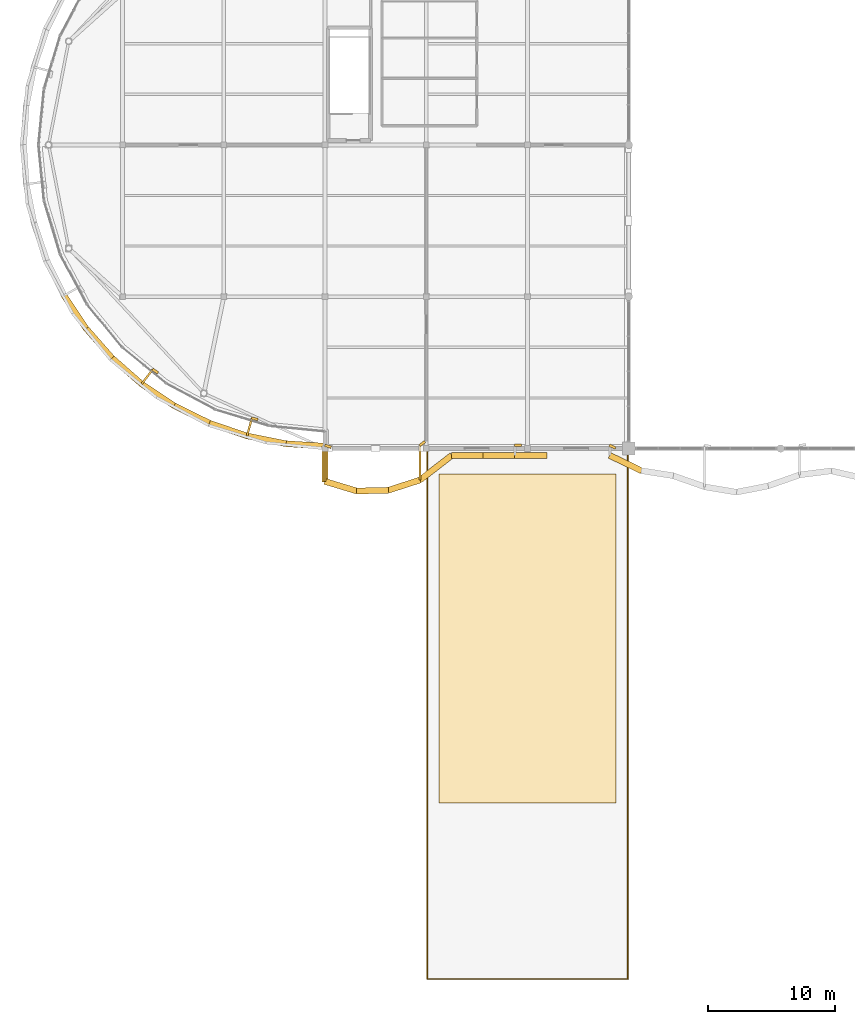
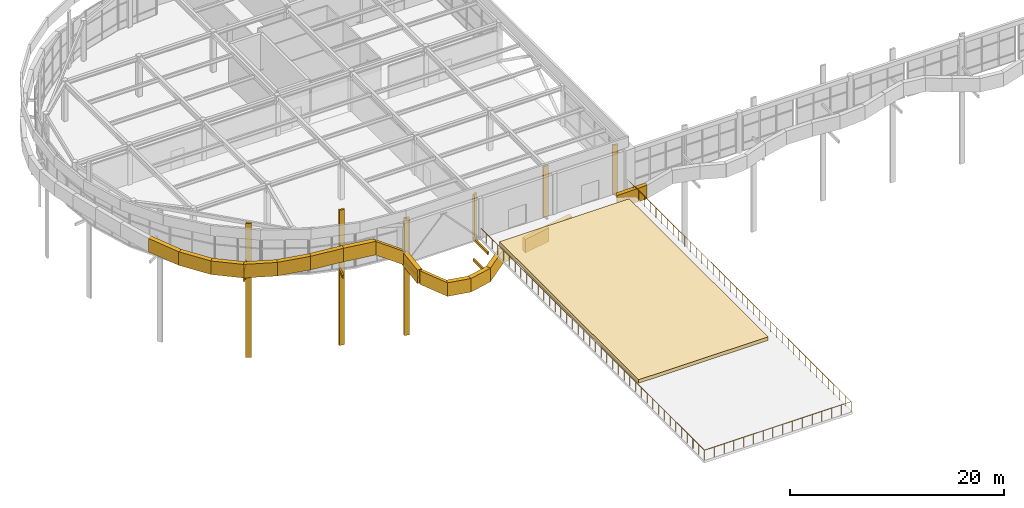
# One storey, part 50 of 63: 31 coverings, 1 railing.
"""IFC4 building model written with IfcOpenShell, lengths in metres."""

from ifc_helpers import new_model, si_unit, direction, frame, frame_2d, origin, origin_2d, place, context, subcontext, project, spatial, polyline, rectangle, circle, outline, extrude, material, layer, layer_set, type_object, element, save


model = new_model("IFC4")

# Units and contexts
model_context = context("Model", 3, precision=1e-05, world=origin(), true_north=direction((0.0, 1.0)))
body_context = subcontext(model_context, "Body", "Model", "MODEL_VIEW")
ifc_project = project(units=[si_unit("LENGTHUNIT", "METRE"), si_unit("AREAUNIT", "SQUARE_METRE"), si_unit("VOLUMEUNIT", "CUBIC_METRE"), si_unit("PLANEANGLEUNIT", "RADIAN"), si_unit("MASSUNIT", "GRAM", prefix="KILO")], contexts=[model_context])

# Site, building, storey
site_placement = place(None, origin())
site = spatial("IfcSite", under=ifc_project, at=site_placement, CompositionType="ELEMENT")
building_placement = place(site_placement, origin())
building = spatial("IfcBuilding", under=site, at=building_placement, Name="Keelwater Ferry Terminal", CompositionType="ELEMENT")
storey_placement = place(building_placement, frame((0.0, 0.0, 10.199951171875)))
storey = spatial("IfcBuildingStorey", under=building, at=storey_placement, Name="L02", CompositionType="ELEMENT", Elevation=10.199951171875)

# Railing
ifc_material_1 = material(Name="Marine stainless steel and laminated glass balustrade", Category="steel")
railing_type = type_object("IfcRailingType", Name="BL-115 Waterfront Promenade Balustrade", PredefinedType="BALUSTRADE", material=ifc_material_1)
railing_placement = place(storey_placement, frame((32.080078125, 41.949951171875, 0.0)))
element("IfcRailing", 1, at=railing_placement, inside=storey, type_object=railing_type, Name="West Boarding Promenade Guard 2", PredefinedType="BALUSTRADE", context=body_context, shape_type="SweptSolid", body=[
    extrude(circle(Radius=0.02685546875, at=origin_2d()), frame((0.0, 0.0, 1.123046875), z_axis=(0.0, -1.0, 0.0), x_axis=(1.0, 0.0, 0.0)), (0.0, 0.0, 1.0), 41.869873046875),
    extrude(circle(Radius=0.02685546875, at=origin_2d()), frame((0.0, -41.869873046875, 1.123046875), z_axis=(1.0, 0.0, 0.0), x_axis=(0.0, 1.0, 0.0)), (0.0, 0.0, 1.0), 15.83984375),
    extrude(circle(Radius=0.02685546875, at=origin_2d()), frame((15.83984375, -41.869873046875, 1.123046875), z_axis=(0.0, 1.0, 0.0), x_axis=(-1.0, 0.0, 0.0)), (0.0, 0.0, 1.0), 41.869873046875),
    extrude(circle(Radius=0.02392578125, at=origin_2d()), origin(), (0.0, 0.0, 1.0), 1.095947265625),
    extrude(circle(Radius=0.02392578125, at=origin_2d()), frame((0.0, -1.073486328125, 0.0)), (0.0, 0.0, 1.0), 1.095947265625),
    extrude(circle(Radius=0.02392578125, at=origin_2d()), frame((0.0, -2.147216796875, 0.0)), (0.0, 0.0, 1.0), 1.095947265625),
    extrude(circle(Radius=0.02392578125, at=origin_2d()), frame((0.0, -3.220703125, 0.0)), (0.0, 0.0, 1.0), 1.095947265625),
    extrude(circle(Radius=0.02392578125, at=origin_2d()), frame((0.0, -4.29443359375, 0.0)), (0.0, 0.0, 1.0), 1.095947265625),
    extrude(circle(Radius=0.02392578125, at=origin_2d()), frame((0.0, -5.367919921875, 0.0)), (0.0, 0.0, 1.0), 1.095947265625),
    extrude(circle(Radius=0.02392578125, at=origin_2d()), frame((0.0, -6.44140625, 0.0)), (0.0, 0.0, 1.0), 1.095947265625),
    extrude(circle(Radius=0.02392578125, at=origin_2d()), frame((0.0, -7.51513671875, 0.0)), (0.0, 0.0, 1.0), 1.095947265625),
    extrude(circle(Radius=0.02392578125, at=origin_2d()), frame((0.0, -8.588623046875, 0.0)), (0.0, 0.0, 1.0), 1.095947265625),
    extrude(circle(Radius=0.02392578125, at=origin_2d()), frame((0.0, -9.662353515625, 0.0)), (0.0, 0.0, 1.0), 1.095947265625),
    extrude(circle(Radius=0.02392578125, at=origin_2d()), frame((0.0, -10.73583984375, 0.0)), (0.0, 0.0, 1.0), 1.095947265625),
    extrude(circle(Radius=0.02392578125, at=origin_2d()), frame((0.0, -11.8095703125, 0.0)), (0.0, 0.0, 1.0), 1.095947265625),
    extrude(circle(Radius=0.02392578125, at=origin_2d()), frame((0.0, -12.883056640625, 0.0)), (0.0, 0.0, 1.0), 1.095947265625),
    extrude(circle(Radius=0.02392578125, at=origin_2d()), frame((0.0, -13.95654296875, 0.0)), (0.0, 0.0, 1.0), 1.095947265625),
    extrude(circle(Radius=0.02392578125, at=origin_2d()), frame((0.0, -15.0302734375, 0.0)), (0.0, 0.0, 1.0), 1.095947265625),
    extrude(circle(Radius=0.02392578125, at=origin_2d()), frame((0.0, -16.103759765625, 0.0)), (0.0, 0.0, 1.0), 1.095947265625),
    extrude(circle(Radius=0.02392578125, at=origin_2d()), frame((0.0, -17.177490234375, 0.0)), (0.0, 0.0, 1.0), 1.095947265625),
    extrude(circle(Radius=0.02392578125, at=origin_2d()), frame((0.0, -18.2509765625, 0.0)), (0.0, 0.0, 1.0), 1.095947265625),
    extrude(circle(Radius=0.02392578125, at=origin_2d()), frame((0.0, -19.324462890625, 0.0)), (0.0, 0.0, 1.0), 1.095947265625),
    extrude(circle(Radius=0.02392578125, at=origin_2d()), frame((0.0, -20.398193359375, 0.0)), (0.0, 0.0, 1.0), 1.095947265625),
    extrude(circle(Radius=0.02392578125, at=origin_2d()), frame((0.0, -21.4716796875, 0.0)), (0.0, 0.0, 1.0), 1.095947265625),
    extrude(circle(Radius=0.02392578125, at=origin_2d()), frame((0.0, -22.54541015625, 0.0)), (0.0, 0.0, 1.0), 1.095947265625),
    extrude(circle(Radius=0.02392578125, at=origin_2d()), frame((0.0, -23.618896484375, 0.0)), (0.0, 0.0, 1.0), 1.095947265625),
    extrude(circle(Radius=0.02392578125, at=origin_2d()), frame((0.0, -24.6923828125, 0.0)), (0.0, 0.0, 1.0), 1.095947265625),
    extrude(circle(Radius=0.02392578125, at=origin_2d()), frame((0.0, -25.76611328125, 0.0)), (0.0, 0.0, 1.0), 1.095947265625),
    extrude(circle(Radius=0.02392578125, at=origin_2d()), frame((0.0, -26.839599609375, 0.0)), (0.0, 0.0, 1.0), 1.095947265625),
    extrude(circle(Radius=0.02392578125, at=origin_2d()), frame((0.0, -27.913330078125, 0.0)), (0.0, 0.0, 1.0), 1.095947265625),
    extrude(circle(Radius=0.02392578125, at=origin_2d()), frame((0.0, -28.98681640625, 0.0)), (0.0, 0.0, 1.0), 1.095947265625),
    extrude(circle(Radius=0.02392578125, at=origin_2d()), frame((0.0, -30.060302734375, 0.0)), (0.0, 0.0, 1.0), 1.095947265625),
    extrude(circle(Radius=0.02392578125, at=origin_2d()), frame((0.0, -31.134033203125, 0.0)), (0.0, 0.0, 1.0), 1.095947265625),
    extrude(circle(Radius=0.02392578125, at=origin_2d()), frame((0.0, -32.20751953125, 0.0)), (0.0, 0.0, 1.0), 1.095947265625),
    extrude(circle(Radius=0.02392578125, at=origin_2d()), frame((0.0, -33.28125, 0.0)), (0.0, 0.0, 1.0), 1.095947265625),
    extrude(circle(Radius=0.02392578125, at=origin_2d()), frame((0.0, -34.354736328125, 0.0)), (0.0, 0.0, 1.0), 1.095947265625),
    extrude(circle(Radius=0.02392578125, at=origin_2d()), frame((0.0, -35.428466796875, 0.0)), (0.0, 0.0, 1.0), 1.095947265625),
    extrude(circle(Radius=0.02392578125, at=origin_2d()), frame((0.0, -36.501953125, 0.0)), (0.0, 0.0, 1.0), 1.095947265625),
    extrude(circle(Radius=0.02392578125, at=origin_2d()), frame((0.0, -37.575439453125, 0.0)), (0.0, 0.0, 1.0), 1.095947265625),
    extrude(circle(Radius=0.02392578125, at=origin_2d()), frame((0.0, -38.649169921875, 0.0)), (0.0, 0.0, 1.0), 1.095947265625),
    extrude(circle(Radius=0.02392578125, at=origin_2d()), frame((0.0, -39.72265625, 0.0)), (0.0, 0.0, 1.0), 1.095947265625),
    extrude(circle(Radius=0.02392578125, at=origin_2d()), frame((0.0, -40.79638671875, 0.0)), (0.0, 0.0, 1.0), 1.095947265625),
    extrude(circle(Radius=0.02392578125, at=origin_2d()), frame((0.0, -41.869873046875, 0.0)), (0.0, 0.0, 1.0), 1.095947265625),
    extrude(circle(Radius=0.02392578125, at=origin_2d()), frame((1.055908203125, -41.869873046875, 0.0)), (0.0, 0.0, 1.0), 1.095947265625),
    extrude(circle(Radius=0.02392578125, at=origin_2d()), frame((2.112060546875, -41.869873046875, 0.0)), (0.0, 0.0, 1.0), 1.095947265625),
    extrude(circle(Radius=0.02392578125, at=origin_2d()), frame((3.16796875, -41.869873046875, 0.0)), (0.0, 0.0, 1.0), 1.095947265625),
    extrude(circle(Radius=0.02392578125, at=origin_2d()), frame((4.223876953125, -41.869873046875, 0.0)), (0.0, 0.0, 1.0), 1.095947265625),
    extrude(circle(Radius=0.02392578125, at=origin_2d()), frame((5.280029296875, -41.869873046875, 0.0)), (0.0, 0.0, 1.0), 1.095947265625),
    extrude(circle(Radius=0.02392578125, at=origin_2d()), frame((6.3359375, -41.869873046875, 0.0)), (0.0, 0.0, 1.0), 1.095947265625),
    extrude(circle(Radius=0.02392578125, at=origin_2d()), frame((7.391845703125, -41.869873046875, 0.0)), (0.0, 0.0, 1.0), 1.095947265625),
    extrude(circle(Radius=0.02392578125, at=origin_2d()), frame((8.447998046875, -41.869873046875, 0.0)), (0.0, 0.0, 1.0), 1.095947265625),
    extrude(circle(Radius=0.02392578125, at=origin_2d()), frame((9.50390625, -41.869873046875, 0.0)), (0.0, 0.0, 1.0), 1.095947265625),
    extrude(circle(Radius=0.02392578125, at=origin_2d()), frame((10.559814453125, -41.869873046875, 0.0)), (0.0, 0.0, 1.0), 1.095947265625),
    extrude(circle(Radius=0.02392578125, at=origin_2d()), frame((11.615966796875, -41.869873046875, 0.0)), (0.0, 0.0, 1.0), 1.095947265625),
    extrude(circle(Radius=0.02392578125, at=origin_2d()), frame((12.671875, -41.869873046875, 0.0)), (0.0, 0.0, 1.0), 1.095947265625),
    extrude(circle(Radius=0.02392578125, at=origin_2d()), frame((13.727783203125, -41.869873046875, 0.0)), (0.0, 0.0, 1.0), 1.095947265625),
    extrude(circle(Radius=0.02392578125, at=origin_2d()), frame((14.783935546875, -41.869873046875, 0.0)), (0.0, 0.0, 1.0), 1.095947265625),
    extrude(circle(Radius=0.02392578125, at=origin_2d()), frame((15.83984375, -41.869873046875, 0.0)), (0.0, 0.0, 1.0), 1.095947265625),
    extrude(circle(Radius=0.02392578125, at=origin_2d()), frame((15.83984375, -40.79638671875, 0.0)), (0.0, 0.0, 1.0), 1.095947265625),
    extrude(circle(Radius=0.02392578125, at=origin_2d()), frame((15.83984375, -39.72265625, 0.0)), (0.0, 0.0, 1.0), 1.095947265625),
    extrude(circle(Radius=0.02392578125, at=origin_2d()), frame((15.83984375, -38.649169921875, 0.0)), (0.0, 0.0, 1.0), 1.095947265625),
    extrude(circle(Radius=0.02392578125, at=origin_2d()), frame((15.83984375, -37.575439453125, 0.0)), (0.0, 0.0, 1.0), 1.095947265625),
    extrude(circle(Radius=0.02392578125, at=origin_2d()), frame((15.83984375, -36.501953125, 0.0)), (0.0, 0.0, 1.0), 1.095947265625),
    extrude(circle(Radius=0.02392578125, at=origin_2d()), frame((15.83984375, -35.428466796875, 0.0)), (0.0, 0.0, 1.0), 1.095947265625),
    extrude(circle(Radius=0.02392578125, at=origin_2d()), frame((15.83984375, -34.354736328125, 0.0)), (0.0, 0.0, 1.0), 1.095947265625),
    extrude(circle(Radius=0.02392578125, at=origin_2d()), frame((15.83984375, -33.28125, 0.0)), (0.0, 0.0, 1.0), 1.095947265625),
    extrude(circle(Radius=0.02392578125, at=origin_2d()), frame((15.83984375, -32.20751953125, 0.0)), (0.0, 0.0, 1.0), 1.095947265625),
    extrude(circle(Radius=0.02392578125, at=origin_2d()), frame((15.83984375, -31.134033203125, 0.0)), (0.0, 0.0, 1.0), 1.095947265625),
    extrude(circle(Radius=0.02392578125, at=origin_2d()), frame((15.83984375, -30.060302734375, 0.0)), (0.0, 0.0, 1.0), 1.095947265625),
    extrude(circle(Radius=0.02392578125, at=origin_2d()), frame((15.83984375, -28.98681640625, 0.0)), (0.0, 0.0, 1.0), 1.095947265625),
    extrude(circle(Radius=0.02392578125, at=origin_2d()), frame((15.83984375, -27.913330078125, 0.0)), (0.0, 0.0, 1.0), 1.095947265625),
    extrude(circle(Radius=0.02392578125, at=origin_2d()), frame((15.83984375, -26.839599609375, 0.0)), (0.0, 0.0, 1.0), 1.095947265625),
    extrude(circle(Radius=0.02392578125, at=origin_2d()), frame((15.83984375, -25.76611328125, 0.0)), (0.0, 0.0, 1.0), 1.095947265625),
    extrude(circle(Radius=0.02392578125, at=origin_2d()), frame((15.83984375, -24.6923828125, 0.0)), (0.0, 0.0, 1.0), 1.095947265625),
    extrude(circle(Radius=0.02392578125, at=origin_2d()), frame((15.83984375, -23.618896484375, 0.0)), (0.0, 0.0, 1.0), 1.095947265625),
    extrude(circle(Radius=0.02392578125, at=origin_2d()), frame((15.83984375, -22.54541015625, 0.0)), (0.0, 0.0, 1.0), 1.095947265625),
    extrude(circle(Radius=0.02392578125, at=origin_2d()), frame((15.83984375, -21.4716796875, 0.0)), (0.0, 0.0, 1.0), 1.095947265625),
    extrude(circle(Radius=0.02392578125, at=origin_2d()), frame((15.83984375, -20.398193359375, 0.0)), (0.0, 0.0, 1.0), 1.095947265625),
    extrude(circle(Radius=0.02392578125, at=origin_2d()), frame((15.83984375, -19.324462890625, 0.0)), (0.0, 0.0, 1.0), 1.095947265625),
    extrude(circle(Radius=0.02392578125, at=origin_2d()), frame((15.83984375, -18.2509765625, 0.0)), (0.0, 0.0, 1.0), 1.095947265625),
    extrude(circle(Radius=0.02392578125, at=origin_2d()), frame((15.83984375, -17.177490234375, 0.0)), (0.0, 0.0, 1.0), 1.095947265625),
    extrude(circle(Radius=0.02392578125, at=origin_2d()), frame((15.83984375, -16.103759765625, 0.0)), (0.0, 0.0, 1.0), 1.095947265625),
    extrude(circle(Radius=0.02392578125, at=origin_2d()), frame((15.83984375, -15.0302734375, 0.0)), (0.0, 0.0, 1.0), 1.095947265625),
    extrude(circle(Radius=0.02392578125, at=origin_2d()), frame((15.83984375, -13.95654296875, 0.0)), (0.0, 0.0, 1.0), 1.095947265625),
    extrude(circle(Radius=0.02392578125, at=origin_2d()), frame((15.83984375, -12.883056640625, 0.0)), (0.0, 0.0, 1.0), 1.095947265625),
    extrude(circle(Radius=0.02392578125, at=origin_2d()), frame((15.83984375, -11.8095703125, 0.0)), (0.0, 0.0, 1.0), 1.095947265625),
    extrude(circle(Radius=0.02392578125, at=origin_2d()), frame((15.83984375, -10.73583984375, 0.0)), (0.0, 0.0, 1.0), 1.095947265625),
    extrude(circle(Radius=0.02392578125, at=origin_2d()), frame((15.83984375, -9.662353515625, 0.0)), (0.0, 0.0, 1.0), 1.095947265625),
    extrude(circle(Radius=0.02392578125, at=origin_2d()), frame((15.83984375, -8.588623046875, 0.0)), (0.0, 0.0, 1.0), 1.095947265625),
    extrude(circle(Radius=0.02392578125, at=origin_2d()), frame((15.83984375, -7.51513671875, 0.0)), (0.0, 0.0, 1.0), 1.095947265625),
    extrude(circle(Radius=0.02392578125, at=origin_2d()), frame((15.83984375, -6.44140625, 0.0)), (0.0, 0.0, 1.0), 1.095947265625),
    extrude(circle(Radius=0.02392578125, at=origin_2d()), frame((15.83984375, -5.367919921875, 0.0)), (0.0, 0.0, 1.0), 1.095947265625),
    extrude(circle(Radius=0.02392578125, at=origin_2d()), frame((15.83984375, -4.29443359375, 0.0)), (0.0, 0.0, 1.0), 1.095947265625),
    extrude(circle(Radius=0.02392578125, at=origin_2d()), frame((15.83984375, -3.220703125, 0.0)), (0.0, 0.0, 1.0), 1.095947265625),
    extrude(circle(Radius=0.02392578125, at=origin_2d()), frame((15.83984375, -2.147216796875, 0.0)), (0.0, 0.0, 1.0), 1.095947265625),
    extrude(circle(Radius=0.02392578125, at=origin_2d()), frame((15.83984375, -1.073486328125, 0.0)), (0.0, 0.0, 1.0), 1.095947265625),
    extrude(circle(Radius=0.02392578125, at=origin_2d()), frame((15.83984375, 0.0, 0.0)), (0.0, 0.0, 1.0), 1.095947265625),
])

# Coverings
ifc_material_2 = material(Name="Planted sedum green roof substrate", Category="earth")
ifc_layer_1 = layer(ifc_material_2, 0.39990234375)
ifc_layer_set_1 = layer_set([ifc_layer_1], Name="Planted sedum green roof substrate")
covering_type_1 = type_object("IfcCoveringType", Name="GR-BED Planted Green Roof Bed", PredefinedType="ROOFING", material=ifc_layer_set_1)
covering_1_placement = place(storey_placement, origin())
element("IfcCovering", 2, at=covering_1_placement, inside=storey, type_object=covering_type_1, Name="Planted Green Roof Bed 4", PredefinedType="ROOFING", context=body_context, shape_type="SweptSolid", body=[
    extrude(outline(polyline([(33.0, 14.0), (47.0, 14.0), (47.0, 40.0), (33.0, 40.0), (33.0, 14.0)])), origin(), (0.0, 0.0, 1.0), 0.400146484375),
])
ifc_material_3 = material(Name="Matte white architectural aluminium fascia ribbon", Category="aluminium")
ifc_layer_2 = layer(ifc_material_3, 0.1201171875)
ifc_layer_set_2 = layer_set([ifc_layer_2], Name="Matte white architectural aluminium fascia ribbon")
covering_type_2 = type_object("IfcCoveringType", Name="RB-WHT Matte White Fascia Ribbon", PredefinedType="CLADDING", material=ifc_layer_set_2)
covering_2_placement = place(storey_placement, frame((3.35693359375, 54.111083984375, 0.64501953125), z_axis=(0.0, 0.0, 1.0), x_axis=(0.55550058618, -0.831516144614, 0.0)))
element("IfcCovering", 3, at=covering_2_placement, inside=storey, type_object=covering_type_2, Name="Concourse Upper Wave Fascia Ribbon 260", PredefinedType="CLADDING", context=body_context, shape_type="SweptSolid", body=[
    extrude(outline(polyline([(0.0, 0.548095703125), (3.16650390625, 0.0), (3.16650390625, 1.550048828125), (0.0, 2.09814453125), (0.0, 0.548095703125)])), frame((0.0, 0.239990234375, 0.0), z_axis=(0.0, -1.0, 0.0), x_axis=(1.0, 0.0, 0.0)), (0.0, 0.0, 1.0), 0.47998046875),
])
covering_3_placement = place(storey_placement, frame((5.0859375, 51.51806640625, 0.31103515625), z_axis=(0.0, 0.0, 1.0), x_axis=(0.65931776004, -0.75186441018, 0.0)))
element("IfcCovering", 4, at=covering_3_placement, inside=storey, type_object=covering_type_2, Name="Concourse Upper Wave Fascia Ribbon 271", PredefinedType="CLADDING", context=body_context, shape_type="SweptSolid", body=[
    extrude(outline(polyline([(0.0, 0.333984375), (3.16552734375, 0.0), (3.16552734375, 1.550048828125), (0.0, 1.884033203125), (0.0, 0.333984375)])), frame((0.0, 0.239990234375, 0.0), z_axis=(0.0, -1.0, 0.0), x_axis=(1.0, 0.0, 0.0)), (0.0, 0.0, 1.0), 0.47998046875),
])
covering_4_placement = place(storey_placement, frame((7.137939453125, 49.173095703125, 0.31103515625), z_axis=(0.0, 0.0, 1.0), x_axis=(0.75186441018, -0.65931776004, 0.0)))
element("IfcCovering", 5, at=covering_4_placement, inside=storey, type_object=covering_type_2, Name="Concourse Upper Wave Fascia Ribbon 275", PredefinedType="CLADDING", context=body_context, shape_type="SweptSolid", body=[
    extrude(outline(polyline([(0.0, 0.0), (3.16552734375, 0.027099609375), (3.16552734375, 1.576904296875), (0.0, 1.550048828125), (0.0, 0.0)])), frame((0.0, 0.239990234375, 0.0), z_axis=(0.0, -1.0, 0.0), x_axis=(1.0, 0.0, 0.0)), (0.0, 0.0, 1.0), 0.47998046875),
])
covering_5_placement = place(storey_placement, frame((9.47802734375, 47.115966796875, 0.338134765625), z_axis=(0.0, 0.0, 1.0), x_axis=(0.831516144614, -0.55550058618, 0.0)))
element("IfcCovering", 6, at=covering_5_placement, inside=storey, type_object=covering_type_2, Name="Concourse Upper Wave Fascia Ribbon 279", PredefinedType="CLADDING", context=body_context, shape_type="SweptSolid", body=[
    extrude(outline(polyline([(0.0, 0.0), (3.16650390625, 0.3779296875), (3.16650390625, 1.927978515625), (0.0, 1.5498046875), (0.0, 0.0)])), frame((0.0, 0.239990234375, 0.0), z_axis=(0.0, -1.0, 0.0), x_axis=(1.0, 0.0, 0.0)), (0.0, 0.0, 1.0), 0.47998046875),
])
covering_6_placement = place(storey_placement, frame((9.4990234375, 47.10205078125, 0.97314453125), z_axis=(0.0, 0.0, 1.0), x_axis=(0.609067672467, 0.793118257484, 0.0)))
element("IfcCovering", 7, at=covering_6_placement, inside=storey, type_object=covering_type_2, Name="Ribbon Horizontal Tie Bracket 282", PredefinedType="CLADDING", context=body_context, shape_type="SweptSolid", body=[
    extrude(rectangle(XDim=1.449951171875, YDim=0.159912109375, at=frame_2d((0.72509765625, 0.0))), origin(), (0.0, 0.0, 1.0), 0.27978515625),
])
covering_7_placement = place(storey_placement, frame((9.4990234375, 47.10205078125, -0.25), z_axis=(0.0, 0.0, 1.0), x_axis=(0.609067672467, 0.793118257484, 0.0)))
element("IfcCovering", 8, at=covering_7_placement, inside=storey, type_object=covering_type_2, Name="Ribbon Slab Tie Bracket 284", PredefinedType="CLADDING", context=body_context, shape_type="SweptSolid", body=[
    extrude(rectangle(XDim=1.449951171875, YDim=0.159912109375, at=frame_2d((0.72509765625, 0.0))), origin(), (0.0, 0.0, 1.0), 0.300048828125),
])
covering_8_placement = place(storey_placement, frame((10.361083984375, 48.26611328125, -9.8359375), z_axis=(0.0, 0.0, 1.0), x_axis=(0.83183765014, -0.555019030132, 0.0)))
element("IfcCovering", 9, at=covering_8_placement, inside=storey, type_object=covering_type_2, Name="Ribbon Recessed Support Mullion 286", PredefinedType="CLADDING", context=body_context, shape_type="SweptSolid", body=[
    extrude(outline(polyline([(0.0, 0.0), (0.530029296875, 0.0), (0.530029296875, 15.324951171875), (0.0, 15.324951171875), (0.0, 0.0)])), frame((0.0, 0.10009765625, 0.0), z_axis=(0.0, -1.0, 0.0), x_axis=(1.0, 0.0, 0.0)), (0.0, 0.0, 1.0), 0.199951171875),
])
covering_9_placement = place(storey_placement, frame((12.068115234375, 45.382080078125, 0.716064453125), z_axis=(0.0, 0.0, 1.0), x_axis=(0.896790782987, -0.442454846905, 0.0)))
element("IfcCovering", 10, at=covering_9_placement, inside=storey, type_object=covering_type_2, Name="Concourse Upper Wave Fascia Ribbon 289", PredefinedType="CLADDING", context=body_context, shape_type="SweptSolid", body=[
    extrude(outline(polyline([(0.0, 0.0), (3.16455078125, 0.55908203125), (3.16455078125, 2.10888671875), (0.0, 1.550048828125), (0.0, 0.0)])), frame((0.0, 0.239990234375, 0.0), z_axis=(0.0, -1.0, 0.0), x_axis=(1.0, 0.0, 0.0)), (0.0, 0.0, 1.0), 0.47998046875),
])
covering_10_placement = place(storey_placement, frame((14.860107421875, 44.0009765625, 1.275146484375), z_axis=(0.0, 0.0, 1.0), x_axis=(0.94701262585, -0.321196336342, 0.0)))
element("IfcCovering", 11, at=covering_10_placement, inside=storey, type_object=covering_type_2, Name="Concourse Upper Wave Fascia Ribbon 293", PredefinedType="CLADDING", context=body_context, shape_type="SweptSolid", body=[
    extrude(outline(polyline([(0.0, 0.0), (3.16650390625, 0.492919921875), (3.16650390625, 2.04296875), (0.0, 1.5498046875), (0.0, 0.0)])), frame((0.0, 0.239990234375, 0.0), z_axis=(0.0, -1.0, 0.0), x_axis=(1.0, 0.0, 0.0)), (0.0, 0.0, 1.0), 0.47998046875),
])
covering_11_placement = place(storey_placement, frame((17.81005859375, 42.9970703125, 1.76806640625), z_axis=(0.0, 0.0, 1.0), x_axis=(0.98076407959, -0.195196875454, 0.0)))
element("IfcCovering", 12, at=covering_11_placement, inside=storey, type_object=covering_type_2, Name="Concourse Upper Wave Fascia Ribbon 297", PredefinedType="CLADDING", context=body_context, shape_type="SweptSolid", body=[
    extrude(outline(polyline([(0.0, 0.0), (3.1669921875, 0.06591796875), (3.1669921875, 1.615966796875), (0.0, 1.550048828125), (0.0, 0.0)])), frame((0.0, 0.239990234375, 0.0), z_axis=(0.0, -1.0, 0.0), x_axis=(1.0, 0.0, 0.0)), (0.0, 0.0, 1.0), 0.47998046875),
])
covering_12_placement = place(storey_placement, frame((17.8349609375, 42.991943359375, 2.403076171875), z_axis=(0.0, 0.0, 1.0), x_axis=(0.258542567344, 0.965999865875, 0.0)))
element("IfcCovering", 13, at=covering_12_placement, inside=storey, type_object=covering_type_2, Name="Ribbon Horizontal Tie Bracket 301", PredefinedType="CLADDING", context=body_context, shape_type="SweptSolid", body=[
    extrude(rectangle(XDim=1.450439453125, YDim=0.159912109375, at=frame_2d((0.72509765625, 0.0))), origin(), (0.0, 0.0, 1.0), 0.280029296875),
])
covering_13_placement = place(storey_placement, frame((17.8349609375, 42.991943359375, -0.25), z_axis=(0.0, 0.0, 1.0), x_axis=(0.258542567344, 0.965999865875, 0.0)))
element("IfcCovering", 14, at=covering_13_placement, inside=storey, type_object=covering_type_2, Name="Ribbon Slab Tie Bracket 304", PredefinedType="CLADDING", context=body_context, shape_type="SweptSolid", body=[
    extrude(rectangle(XDim=1.450439453125, YDim=0.159912109375, at=frame_2d((0.72509765625, 0.0))), origin(), (0.0, 0.0, 1.0), 0.300048828125),
])
covering_14_placement = place(storey_placement, frame((18.18603515625, 44.39697265625, -8.8779296875), z_axis=(0.0, 0.0, 1.0), x_axis=(0.980933331358, -0.19434453795, 0.0)))
element("IfcCovering", 15, at=covering_14_placement, inside=storey, type_object=covering_type_2, Name="Ribbon Recessed Support Mullion 306", PredefinedType="CLADDING", context=body_context, shape_type="SweptSolid", body=[
    extrude(outline(polyline([(0.0, 0.0), (0.530029296875, 0.0), (0.530029296875, 15.43798828125), (0.0, 15.43798828125), (0.0, 0.0)])), frame((0.0, 0.10009765625, 0.0), z_axis=(0.0, -1.0, 0.0), x_axis=(1.0, 0.0, 0.0)), (0.0, 0.0, 1.0), 0.199951171875),
])
covering_15_placement = place(storey_placement, frame((20.865966796875, 42.385986328125, -0.365966796875), z_axis=(0.0, 0.0, 1.0), x_axis=(0.997839082041, -0.065705147067, 0.0)))
element("IfcCovering", 16, at=covering_15_placement, inside=storey, type_object=covering_type_2, Name="Concourse Upper Wave Fascia Ribbon 309", PredefinedType="CLADDING", context=body_context, shape_type="SweptSolid", body=[
    extrude(outline(polyline([(0.0, 2.199951171875), (3.165771484375, 0.0), (3.165771484375, 1.550048828125), (0.0, 3.75), (0.0, 2.199951171875)])), frame((0.0, 0.239990234375, 0.0), z_axis=(0.0, -1.0, 0.0), x_axis=(1.0, 0.0, 0.0)), (0.0, 0.0, 1.0), 0.47998046875),
])
covering_16_placement = place(storey_placement, frame((24.0, 42.205078125, -0.779052734375), z_axis=(0.0, 0.0, 1.0), x_axis=(0.0, -1.0, 0.0)))
element("IfcCovering", 17, at=covering_16_placement, inside=storey, type_object=covering_type_2, Name="Concourse Upper Wave Fascia Ribbon 313", PredefinedType="CLADDING", context=body_context, shape_type="SweptSolid", body=[
    extrude(outline(polyline([(0.0, 0.4130859375), (2.830078125, 0.0), (2.830078125, 1.550048828125), (0.0, 1.963134765625), (0.0, 0.4130859375)])), frame((0.0, 0.239990234375, 0.0), z_axis=(0.0, -1.0, 0.0), x_axis=(1.0, 0.0, 0.0)), (0.0, 0.0, 1.0), 0.47998046875),
])
covering_17_placement = place(storey_placement, frame((23.97607421875, 39.406982421875, -2.592041015625), z_axis=(0.0, 0.0, 1.0), x_axis=(0.957441620539, -0.288626996763, 0.0)))
element("IfcCovering", 18, at=covering_17_placement, inside=storey, type_object=covering_type_2, Name="Concourse Upper Wave Fascia Ribbon 316", PredefinedType="CLADDING", context=body_context, shape_type="SweptSolid", body=[
    extrude(outline(polyline([(0.0, 1.81298828125), (2.6611328125, 0.0), (2.6611328125, 1.550048828125), (0.0, 3.363037109375), (0.0, 1.81298828125)])), frame((0.0, 0.239990234375, 0.0), z_axis=(0.0, -1.0, 0.0), x_axis=(1.0, 0.0, 0.0)), (0.0, 0.0, 1.0), 0.47998046875),
])
covering_18_placement = place(storey_placement, frame((24.0, 39.39990234375, -0.25), z_axis=(0.0, 0.0, 1.0), x_axis=(0.0, 1.0, 0.0)))
element("IfcCovering", 19, at=covering_18_placement, inside=storey, type_object=covering_type_2, Name="Ribbon Slab Tie Bracket 321", PredefinedType="CLADDING", context=body_context, shape_type="SweptSolid", body=[
    extrude(rectangle(XDim=2.85009765625, YDim=0.159912109375, at=frame_2d((1.425048828125, 0.0))), origin(), (0.0, 0.0, 1.0), 0.300048828125),
])
covering_19_placement = place(storey_placement, frame((23.97607421875, 42.257080078125, -8.462890625), z_axis=(0.0, 0.0, 1.0), x_axis=(0.957291595795, -0.28912419584, 0.0)))
element("IfcCovering", 20, at=covering_19_placement, inside=storey, type_object=covering_type_2, Name="Ribbon Recessed Support Mullion 323", PredefinedType="CLADDING", context=body_context, shape_type="SweptSolid", body=[
    extrude(outline(polyline([(0.0, 0.0), (0.529541015625, 0.0), (0.529541015625, 13.383056640625), (0.0, 13.383056640625), (0.0, 0.0)])), frame((0.0, 0.10009765625, 0.0), z_axis=(0.0, -1.0, 0.0), x_axis=(1.0, 0.0, 0.0)), (0.0, 0.0, 1.0), 0.199951171875),
])
covering_20_placement = place(storey_placement, frame((26.47509765625, 38.64501953125, -3.032958984375), z_axis=(0.0, 0.0, 1.0), x_axis=(0.99972271535, 0.023547662579, 0.0)))
element("IfcCovering", 21, at=covering_20_placement, inside=storey, type_object=covering_type_2, Name="Concourse Upper Wave Fascia Ribbon 325", PredefinedType="CLADDING", context=body_context, shape_type="SweptSolid", body=[
    extrude(outline(polyline([(0.0, 0.44091796875), (2.550537109375, 0.0), (2.550537109375, 1.550048828125), (0.0, 1.990966796875), (0.0, 0.44091796875)])), frame((0.0, 0.239990234375, 0.0), z_axis=(0.0, -1.0, 0.0), x_axis=(1.0, 0.0, 0.0)), (0.0, 0.0, 1.0), 0.47998046875),
])
covering_21_placement = place(storey_placement, frame((28.97607421875, 38.696044921875, -3.258056640625), z_axis=(0.0, 0.0, 1.0), x_axis=(0.951587367147, 0.30737840309, 0.0)))
element("IfcCovering", 22, at=covering_21_placement, inside=storey, type_object=covering_type_2, Name="Concourse Upper Wave Fascia Ribbon 328", PredefinedType="CLADDING", context=body_context, shape_type="SweptSolid", body=[
    extrude(outline(polyline([(0.0, 0.22509765625), (2.677490234375, 0.0), (2.677490234375, 1.550048828125), (0.0, 1.775146484375), (0.0, 0.22509765625)])), frame((0.0, 0.239990234375, 0.0), z_axis=(0.0, -1.0, 0.0), x_axis=(1.0, 0.0, 0.0)), (0.0, 0.0, 1.0), 0.47998046875),
])
covering_22_placement = place(storey_placement, frame((31.47998046875, 39.49609375, -3.258056640625), z_axis=(0.0, 0.0, 1.0), x_axis=(0.790345162322, 0.612661835268, 0.0)))
element("IfcCovering", 23, at=covering_22_placement, inside=storey, type_object=covering_type_2, Name="Concourse Upper Wave Fascia Ribbon 330", PredefinedType="CLADDING", context=body_context, shape_type="SweptSolid", body=[
    extrude(outline(polyline([(0.0, 0.0), (3.2138671875, 0.0830078125), (3.2138671875, 1.633056640625), (0.0, 1.550048828125), (0.0, 0.0)])), frame((0.0, 0.239990234375, 0.0), z_axis=(0.0, -1.0, 0.0), x_axis=(1.0, 0.0, 0.0)), (0.0, 0.0, 1.0), 0.47998046875),
])
covering_23_placement = place(storey_placement, frame((31.5, 39.510986328125, -2.623046875), z_axis=(0.0, 0.0, 1.0), x_axis=(0.0, 1.0, 0.0)))
element("IfcCovering", 24, at=covering_23_placement, inside=storey, type_object=covering_type_2, Name="Ribbon Horizontal Tie Bracket 332", PredefinedType="CLADDING", context=body_context, shape_type="SweptSolid", body=[
    extrude(rectangle(XDim=2.739013671875, YDim=0.159912109375, at=frame_2d((1.36962890625, 0.0))), origin(), (0.0, 0.0, 1.0), 0.280029296875),
])
covering_24_placement = place(storey_placement, frame((31.5, 39.510986328125, -0.25), z_axis=(0.0, 0.0, 1.0), x_axis=(0.0, 1.0, 0.0)))
element("IfcCovering", 25, at=covering_24_placement, inside=storey, type_object=covering_type_2, Name="Ribbon Slab Tie Bracket 334", PredefinedType="CLADDING", context=body_context, shape_type="SweptSolid", body=[
    extrude(rectangle(XDim=2.739013671875, YDim=0.159912109375, at=frame_2d((1.36962890625, 0.0))), origin(), (0.0, 0.0, 1.0), 0.300048828125),
])
covering_25_placement = place(storey_placement, frame((31.47998046875, 42.235107421875, -0.25), z_axis=(0.0, 0.0, 1.0), x_axis=(0.791061907443, 0.611736102084, 0.0)))
element("IfcCovering", 26, at=covering_25_placement, inside=storey, type_object=covering_type_2, Name="Ribbon Recessed Support Mullion 336", PredefinedType="CLADDING", context=body_context, shape_type="SweptSolid", body=[
    extrude(outline(polyline([(0.0, 0.0), (0.529541015625, 0.0), (0.529541015625, 5.170166015625), (0.0, 5.170166015625), (0.0, 0.0)])), frame((0.0, 0.10009765625, 0.0), z_axis=(0.0, -1.0, 0.0), x_axis=(1.0, 0.0, 0.0)), (0.0, 0.0, 1.0), 0.199951171875),
])
covering_26_placement = place(storey_placement, frame((33.97509765625, 41.449951171875, -3.175048828125), z_axis=(0.0, 0.0, 1.0), x_axis=(1.0, 0.0, 0.0)))
element("IfcCovering", 27, at=covering_26_placement, inside=storey, type_object=covering_type_2, Name="Concourse Upper Wave Fascia Ribbon 337", PredefinedType="CLADDING", context=body_context, shape_type="SweptSolid", body=[
    extrude(outline(polyline([(0.0, 0.0), (2.5498046875, 0.316162109375), (2.5498046875, 1.8662109375), (0.0, 1.550048828125), (0.0, 0.0)])), frame((0.0, 0.239990234375, 0.0), z_axis=(0.0, -1.0, 0.0), x_axis=(1.0, 0.0, 0.0)), (0.0, 0.0, 1.0), 0.47998046875),
])
covering_27_placement = place(storey_placement, frame((36.47509765625, 41.449951171875, -2.85888671875), z_axis=(0.0, 0.0, 1.0), x_axis=(1.0, 0.0, 0.0)))
element("IfcCovering", 28, at=covering_27_placement, inside=storey, type_object=covering_type_2, Name="Concourse Upper Wave Fascia Ribbon 339", PredefinedType="CLADDING", context=body_context, shape_type="SweptSolid", body=[
    extrude(outline(polyline([(0.0, 0.0), (2.5498046875, 0.44189453125), (2.5498046875, 1.991943359375), (0.0, 1.550048828125), (0.0, 0.0)])), frame((0.0, 0.239990234375, 0.0), z_axis=(0.0, -1.0, 0.0), x_axis=(1.0, 0.0, 0.0)), (0.0, 0.0, 1.0), 0.47998046875),
])
covering_28_placement = place(storey_placement, frame((38.97509765625, 41.449951171875, -2.4169921875), z_axis=(0.0, 0.0, 1.0), x_axis=(1.0, 0.0, 0.0)))
element("IfcCovering", 29, at=covering_28_placement, inside=storey, type_object=covering_type_2, Name="Concourse Upper Wave Fascia Ribbon 341", PredefinedType="CLADDING", context=body_context, shape_type="SweptSolid", body=[
    extrude(outline(polyline([(0.0, 0.0), (2.5498046875, 0.43994140625), (2.5498046875, 1.989990234375), (0.0, 1.550048828125), (0.0, 0.0)])), frame((0.0, 0.239990234375, 0.0), z_axis=(0.0, -1.0, 0.0), x_axis=(1.0, 0.0, 0.0)), (0.0, 0.0, 1.0), 0.47998046875),
])
covering_29_placement = place(storey_placement, frame((38.97509765625, 42.25, -0.25), z_axis=(0.0, 0.0, 1.0), x_axis=(1.0, 0.0, 0.0)))
element("IfcCovering", 30, at=covering_29_placement, inside=storey, type_object=covering_type_2, Name="Ribbon Recessed Support Mullion 346", PredefinedType="CLADDING", context=body_context, shape_type="SweptSolid", body=[
    extrude(outline(polyline([(0.0, 0.0), (0.52978515625, 0.0), (0.52978515625, 5.796142578125), (0.0, 5.796142578125), (0.0, 0.0)])), frame((0.0, 0.10009765625, 0.0), z_axis=(0.0, -1.0, 0.0), x_axis=(1.0, 0.0, 0.0)), (0.0, 0.0, 1.0), 0.199951171875),
])
covering_30_placement = place(storey_placement, frame((46.47705078125, 41.4609375, -1.33984375), z_axis=(0.0, 0.0, 1.0), x_axis=(0.901132982722, -0.433542786183, 0.0)))
element("IfcCovering", 31, at=covering_30_placement, inside=storey, type_object=covering_type_2, Name="Concourse Upper Wave Fascia Ribbon 349", PredefinedType="CLADDING", context=body_context, shape_type="SweptSolid", body=[
    extrude(outline(polyline([(0.0, 0.0), (2.8251953125, 1.0419921875), (2.8251953125, 2.591796875), (0.0, 1.5498046875), (0.0, 0.0)])), frame((0.0, 0.239990234375, 0.0), z_axis=(0.0, -1.0, 0.0), x_axis=(1.0, 0.0, 0.0)), (0.0, 0.0, 1.0), 0.47998046875),
])
covering_31_placement = place(storey_placement, frame((46.47705078125, 42.260986328125, -0.25), z_axis=(0.0, 0.0, 1.0), x_axis=(0.901134879374, -0.433538843907, 0.0)))
element("IfcCovering", 32, at=covering_31_placement, inside=storey, type_object=covering_type_2, Name="Ribbon Recessed Support Mullion 354", PredefinedType="CLADDING", context=body_context, shape_type="SweptSolid", body=[
    extrude(outline(polyline([(0.0, 0.0), (0.530517578125, 0.0), (0.530517578125, 5.658935546875), (0.0, 5.658935546875), (0.0, 0.0)])), frame((0.0, 0.10009765625, 0.0), z_axis=(0.0, -1.0, 0.0), x_axis=(1.0, 0.0, 0.0)), (0.0, 0.0, 1.0), 0.199951171875),
])

save(model, "model.ifc")
